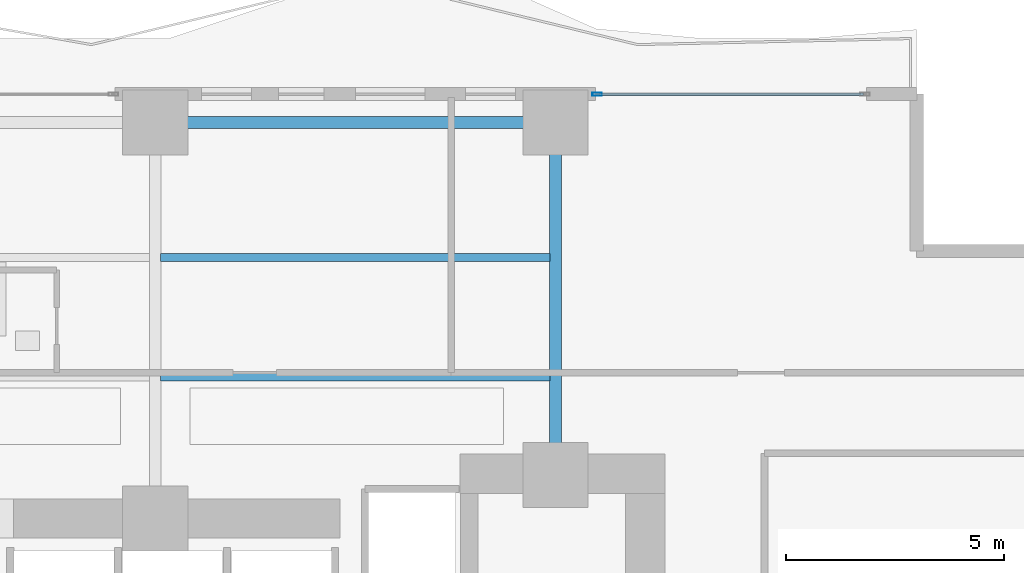
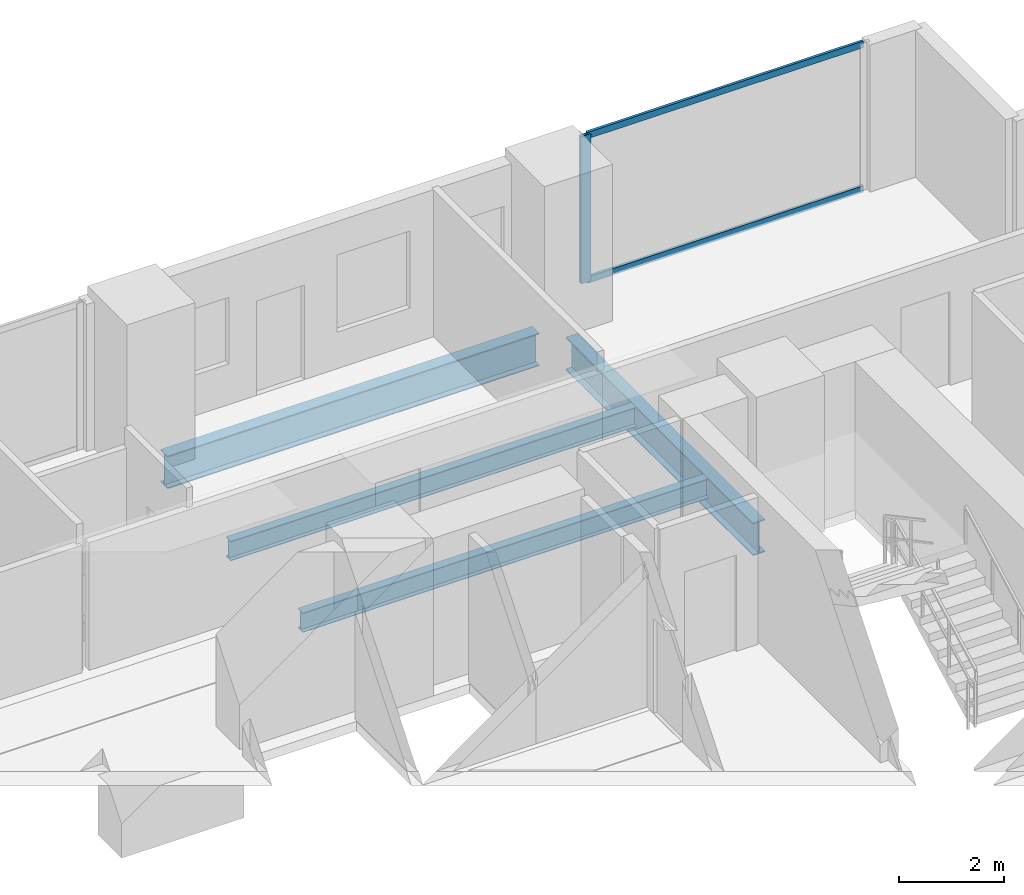
# One storey, part 16 of 28: 4 beams, 3 members, 1 element without a shape of its own.
"""IFC4 building model written with IfcOpenShell, lengths in metres."""

from ifc_helpers import new_model, si_unit, direction, frame, origin, origin_2d, place, context, subcontext, project, spatial, hollow_rectangle, i_section, extrude, material, layer, layer_set, material_profile, profile_set, type_object, element, aggregate, save


model = new_model("IFC4")

# Units and contexts
model_context = context("Model", 3, precision=1e-05, world=origin(), true_north=direction((0.0, 1.0)))
body_context = subcontext(model_context, "Body", "Model", "MODEL_VIEW")
ifc_project = project(units=[si_unit("LENGTHUNIT", "METRE"), si_unit("AREAUNIT", "SQUARE_METRE"), si_unit("VOLUMEUNIT", "CUBIC_METRE"), si_unit("PLANEANGLEUNIT", "RADIAN"), si_unit("MASSUNIT", "GRAM", prefix="KILO")], contexts=[model_context])

# Site, building, storey
site_placement = place(None, origin())
site = spatial("IfcSite", under=ifc_project, at=site_placement, CompositionType="ELEMENT")
building_placement = place(site_placement, origin())
building = spatial("IfcBuilding", under=site, at=building_placement, Name="Zuhayl Quay Hotel", CompositionType="ELEMENT")
storey_placement = place(building_placement, frame((0.0, 0.0, 78.699951171875)))
storey = spatial("IfcBuildingStorey", under=building, at=storey_placement, Name="L19", CompositionType="ELEMENT", Elevation=78.699951171875)

# Beams
ifc_material_1 = material(Name="Steel ASTM A992 Grade 50", Category="steel")
ifc_material_profile_1 = material_profile(ifc_material_1, i_section(OverallWidth=0.26708984375, OverallDepth=0.761962890625, WebThickness=0.014404296875, FlangeThickness=0.021484375, at=origin_2d()), Name="W30X116")
ifc_profile_set_1 = profile_set([ifc_material_profile_1], Name="Steel ASTM A992 Grade 50")
beam_type_1 = type_object("IfcBeamType", Name="BM_B1_W30X116", PredefinedType="BEAM", material=ifc_profile_set_1)
beam_1_placement = place(storey_placement, frame((13.300048828125, 22.449951171875, -0.600830078125), z_axis=(-1.0, 0.0, 0.0), x_axis=(0.0, -1.0, 0.0)))
element("IfcBeam", 1, at=beam_1_placement, inside=storey, type_object=beam_type_1, Name="L19 Floor Beam RG_L19_07", PredefinedType="BEAM", context=body_context, shape_type="SweptSolid", body=[
    extrude(i_section(OverallWidth=0.26708984375, OverallDepth=0.761962890625, WebThickness=0.014404296875, FlangeThickness=0.021484375, at=origin_2d()), origin(), (0.0, 0.0, 1.0), 8.199951171875),
])
beam_2_placement = place(storey_placement, frame((13.800048828125, 14.800048828125, -0.600830078125), z_axis=(0.0, 1.0, 0.0), x_axis=(-1.0, 0.0, 0.0)))
element("IfcBeam", 2, at=beam_2_placement, inside=storey, type_object=beam_type_1, Name="L19 Floor Beam FG_N_L19_4", PredefinedType="BEAM", context=body_context, shape_type="SweptSolid", body=[
    extrude(i_section(OverallWidth=0.26708984375, OverallDepth=0.761962890625, WebThickness=0.014404296875, FlangeThickness=0.021484375, at=origin_2d()), origin(), (0.0, 0.0, 1.0), 7.14990234375),
])
ifc_material_profile_2 = material_profile(ifc_material_1, i_section(OverallWidth=0.18994140625, OverallDepth=0.45703125, WebThickness=0.009033203125, FlangeThickness=0.014404296875, at=origin_2d()), Name="W18X50")
ifc_profile_set_2 = profile_set([ifc_material_profile_2], Name="Steel ASTM A992 Grade 50")
beam_type_2 = type_object("IfcBeamType", Name="BM_J2_W18X50", PredefinedType="JOIST", material=ifc_profile_set_2)
for number, where, z_axis, x_axis, name in (
    (3, (4.7255859375, 16.60009765625, -0.448486328125), (1.0, 0.0, 0.0), (0.0, 1.0, 0.0), "L19 Floor Beam FJ_L19_1_3"),
    (4, (4.7255859375, 19.35009765625, -0.448486328125), (1.0, 0.0, 0.0), (0.0, 1.0, 0.0), "L19 Floor Beam FJ_L19_2_3"),
):
    element("IfcBeam", number, at=place(storey_placement, frame(where, z_axis=z_axis, x_axis=x_axis)), inside=storey, type_object=beam_type_2, Name=name, PredefinedType="JOIST", context=body_context, shape_type="SweptSolid", body=[
        extrude(i_section(OverallWidth=0.18994140625, OverallDepth=0.45703125, WebThickness=0.009033203125, FlangeThickness=0.014404296875, at=origin_2d()), origin(), (0.0, 0.0, 1.0), 8.948974609375),
    ])

# Curtain wall, members
ifc_material_2 = material(Name="Anodised Aluminium 6063-T6", Category="aluminium")
ifc_layer = layer(ifc_material_2, 0.18994140625, Name="Anodised Aluminium 6063-T6", Category="aluminium")
ifc_layer_set = layer_set([ifc_layer], Name="Anodised Aluminium 6063-T6")
curtain_wall_type = type_object("IfcCurtainWallType", Name="CW_SYS_Z1", PredefinedType="USERDEFINED", material=ifc_layer_set)
curtain_wall_placement = place(storey_placement, origin())
curtain_wall = element("IfcCurtainWall", 5, at=curtain_wall_placement, inside=storey, type_object=curtain_wall_type, Name="L19 Curtain Wall ENV_L19_N_CW4", ObjectType="UNITISED CURTAIN WALL", PredefinedType="USERDEFINED")
ifc_material_3 = material(Name="Black-anodised aluminium 6063-T6", Category="aluminium")
ifc_material_profile_3 = material_profile(ifc_material_3, hollow_rectangle(XDim=0.074951171875, YDim=0.219970703125, WallThickness=0.00390625, at=origin_2d()), Name="ALU220X75")
ifc_profile_set_3 = profile_set([ifc_material_profile_3], Name="Black-anodised aluminium 6063-T6")
member_type_1 = type_object("IfcMemberType", Name="MB_CW_MUL_220", PredefinedType="MULLION", material=ifc_profile_set_3)
member_1_placement = place(storey_placement, frame((14.757568359375, 23.10009765625, 0.0), z_axis=(0.0, 0.0, 1.0), x_axis=(0.0, 1.0, 0.0)))
member_1 = element("IfcMember", 6, at=member_1_placement, type_object=member_type_1, Name="CW-Z1 mullion 1", PredefinedType="MULLION", context=body_context, shape_type="SweptSolid", body=[
    extrude(hollow_rectangle(XDim=0.074951171875, YDim=0.219970703125, WallThickness=0.00390625, at=origin_2d()), origin(), (0.0, 0.0, 1.0), 3.429931640625),
])
ifc_material_profile_4 = material_profile(ifc_material_3, hollow_rectangle(XDim=0.06005859375, YDim=0.14990234375, WallThickness=0.00341796875, at=origin_2d()), Name="ALU150X60")
ifc_profile_set_4 = profile_set([ifc_material_profile_4], Name="Black-anodised aluminium 6063-T6")
member_type_2 = type_object("IfcMemberType", Name="MB_CW_TRN_150", PredefinedType="USERDEFINED", material=ifc_profile_set_4)
member_2_placement = place(storey_placement, frame((14.794921875, 23.10009765625, 0.030029296875), z_axis=(1.0, 0.0, 0.0), x_axis=(0.0, 1.0, 0.0)))
member_2 = element("IfcMember", 7, at=member_2_placement, type_object=member_type_2, Name="CW-Z1 transom 1.1", ObjectType="TRANSOM", PredefinedType="USERDEFINED", context=body_context, shape_type="SweptSolid", body=[
    extrude(hollow_rectangle(XDim=0.06005859375, YDim=0.14990234375, WallThickness=0.00341796875, at=origin_2d()), origin(), (0.0, 0.0, 1.0), 6.080078125),
])
member_3_placement = place(storey_placement, frame((14.794921875, 23.10009765625, 3.400146484375), z_axis=(1.0, 0.0, 0.0), x_axis=(0.0, 1.0, 0.0)))
member_3 = element("IfcMember", 8, at=member_3_placement, type_object=member_type_2, Name="CW-Z1 transom 1.2", ObjectType="TRANSOM", PredefinedType="USERDEFINED", context=body_context, shape_type="SweptSolid", body=[
    extrude(hollow_rectangle(XDim=0.06005859375, YDim=0.14990234375, WallThickness=0.00341796875, at=origin_2d()), origin(), (0.0, 0.0, 1.0), 6.080078125),
])
aggregate(curtain_wall, [member_1, member_2, member_3])

save(model, "model.ifc")
